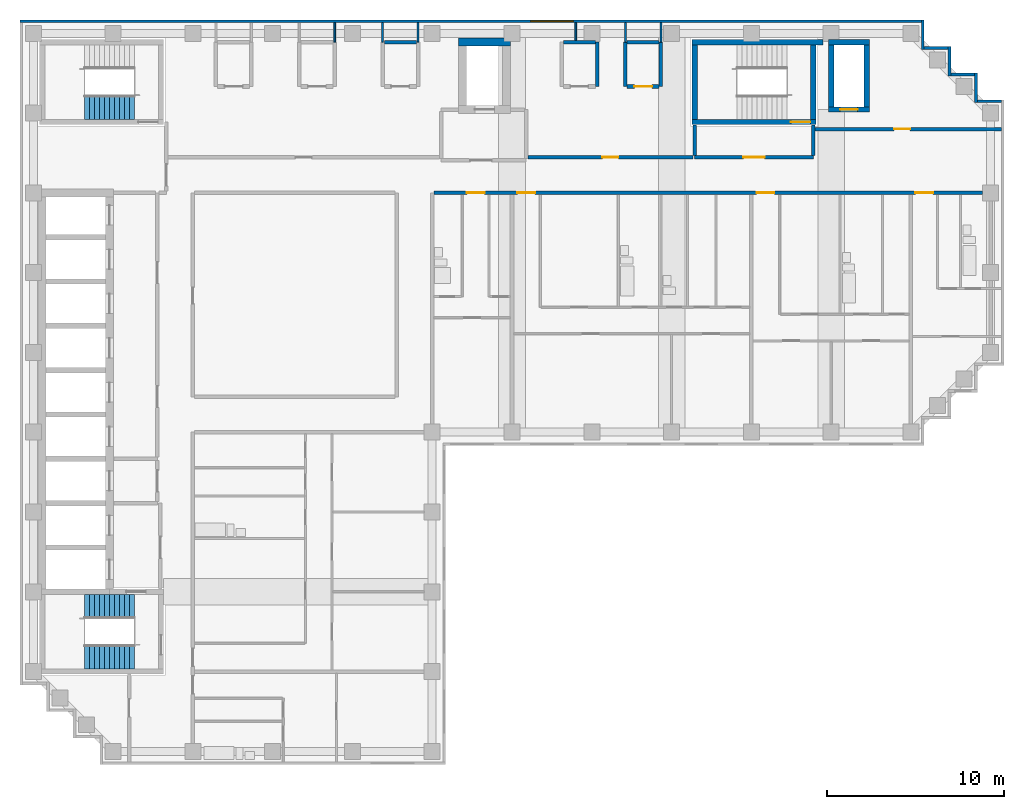
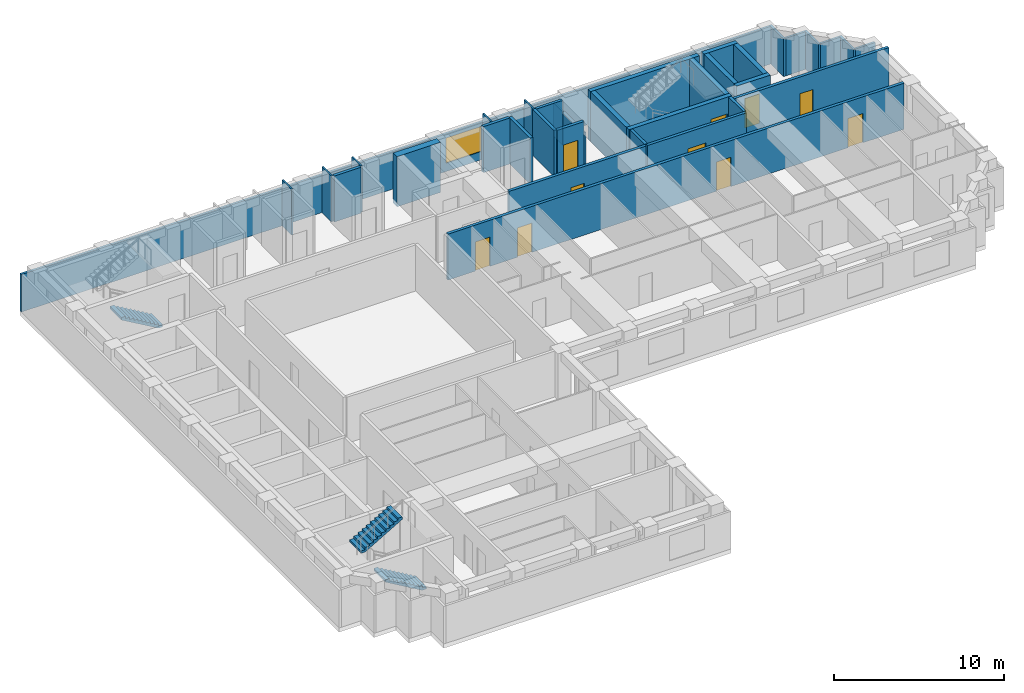
# One storey, part 6 of 9: 35 walls, 10 doors, 3 stair flights, 1 window, 11 openings, 2 elements without a shape of their own.
"""IFC4 building model written with IfcOpenShell, lengths in metres."""

from ifc_helpers import new_model, si_unit, direction, frame, frame_2d, origin, place, context, subcontext, project, spatial, polyline, rectangle, outline, extrude, material, layer, layer_set, type_object, element, fill, aggregate, save


model = new_model("IFC4")

# Units and contexts
model_context = context("Model", 3, precision=1e-05, world=origin(), true_north=direction((0.0, 1.0)))
body_context = subcontext(model_context, "Body", "Model", "MODEL_VIEW")
ifc_project = project(units=[si_unit("LENGTHUNIT", "METRE"), si_unit("AREAUNIT", "SQUARE_METRE"), si_unit("VOLUMEUNIT", "CUBIC_METRE"), si_unit("PLANEANGLEUNIT", "RADIAN"), si_unit("MASSUNIT", "GRAM", prefix="KILO")], contexts=[model_context])

# Site, building, storey
site_placement = place(None, origin())
site = spatial("IfcSite", under=ifc_project, at=site_placement, CompositionType="ELEMENT")
building_placement = place(site_placement, origin())
building = spatial("IfcBuilding", under=site, at=building_placement, Name="Firuza Court", CompositionType="ELEMENT")
storey_placement = place(building_placement, frame((0.0, 0.0, 215.0)))
storey = spatial("IfcBuildingStorey", under=building, at=storey_placement, Name="L55", CompositionType="ELEMENT", Elevation=215.0)

# Wall, opening, door
ifc_material_1 = material(Name="Concrete C50/60", Category="concrete")
ifc_layer_1 = layer(ifc_material_1, 0.300048828125)
ifc_layer_set_1 = layer_set([ifc_layer_1], Name="Concrete C50/60")
wall_type_1 = type_object("IfcWallType", Name="Core wall 300 C50/60", PredefinedType="SHEAR", material=ifc_layer_set_1)
wall_1_placement = place(storey_placement, frame((37.14990234375, 53.5, -0.300048828125), z_axis=(0.0, 0.0, 1.0), x_axis=(1.0, 0.0, 0.0)))
wall_1 = element("IfcWall", 1, at=wall_1_placement, inside=storey, type_object=wall_type_1, Name="Core wall stair L55", PredefinedType="SHEAR", context=body_context, shape_type="SweptSolid", body=[
    extrude(rectangle(XDim=7.0, YDim=0.300048828125, at=frame_2d((3.5, 0.0))), origin(), (0.0, 0.0, 1.0), 3.60009765625),
])
opening_1_placement = place(wall_1_placement, frame((5.580078125, 0.0, 0.300048828125)))
opening_1 = element("IfcOpeningElement", 2, at=opening_1_placement, cuts=wall_1, Name="Opening D55009", PredefinedType="OPENING", context=body_context, shape_type="SweptSolid", body=[
    extrude(rectangle(XDim=1.10009765625, YDim=2.10009765625, at=frame_2d((0.550048828125, 1.050048828125))), frame((0.0, 0.162109375, 0.0), z_axis=(0.0, -1.0, 0.0), x_axis=(1.0, 0.0, 0.0)), (0.0, 0.0, 1.0), 0.323974609375),
])
ifc_material_2 = material(Name="Timber door leaf in hardwood frame", Category="wood")
door_type_1 = type_object("IfcDoorType", Name="Stair door 1100", OperationType="SINGLE_SWING_LEFT", PredefinedType="DOOR", material=ifc_material_2)
door_1_placement = place(opening_1_placement, origin())
door_1 = element("IfcDoor", 3, at=door_1_placement, inside=storey, type_object=door_type_1, Name="Stair door S1", OperationType="SINGLE_SWING_RIGHT", OverallHeight=2.10009765625, OverallWidth=1.10009765625, PredefinedType="DOOR", context=body_context, shape_type="SweptSolid", body=[
    extrude(rectangle(XDim=1.10009765625, YDim=2.10009765625, at=frame_2d((0.550048828125, 1.050048828125))), frame((0.0, 0.02490234375, 0.0), z_axis=(0.0, -1.0, 0.0), x_axis=(1.0, 0.0, 0.0)), (0.0, 0.0, 1.0), 0.050048828125),
])
fill(opening_1, door_1)

# Walls
wall_2_placement = place(storey_placement, frame((37.14990234375, 58.0, -0.300048828125), z_axis=(0.0, 0.0, 1.0), x_axis=(1.0, 0.0, 0.0)))
element("IfcWall", 4, at=wall_2_placement, inside=storey, type_object=wall_type_1, Name="Core wall stair L55", PredefinedType="SHEAR", context=body_context, shape_type="SweptSolid", body=[
    extrude(rectangle(XDim=7.400146484375, YDim=0.300048828125, at=frame_2d((3.7001953125, 0.0))), origin(), (0.0, 0.0, 1.0), 3.60009765625),
])
for number, where, z_axis, x_axis, name in (
    (5, (37.300048828125, 53.64990234375, -0.300048828125), (0.0, 0.0, 1.0), (0.0, 1.0, 0.0), "Core wall stair L55"),
    (6, (44.0, 53.64990234375, -0.300048828125), (0.0, 0.0, 1.0), (0.0, 1.0, 0.0), "Core wall stair L55"),
):
    element("IfcWall", number, at=place(storey_placement, frame(where, z_axis=z_axis, x_axis=x_axis)), inside=storey, type_object=wall_type_1, Name=name, PredefinedType="SHEAR", context=body_context, shape_type="SweptSolid", body=[
        extrude(rectangle(XDim=4.2001953125, YDim=0.300048828125, at=frame_2d((2.10009765625, 0.0))), origin(), (0.0, 0.0, 1.0), 3.60009765625),
    ])

# Wall, opening, door
wall_3_placement = place(storey_placement, frame((44.85009765625, 54.199951171875, -0.300048828125), z_axis=(0.0, 0.0, 1.0), x_axis=(1.0, 0.0, 0.0)))
wall_3 = element("IfcWall", 7, at=wall_3_placement, inside=storey, type_object=wall_type_1, Name="Core wall riser L55", PredefinedType="SHEAR", context=body_context, shape_type="SweptSolid", body=[
    extrude(rectangle(XDim=2.2998046875, YDim=0.300048828125, at=frame_2d((1.14990234375, 0.0))), origin(), (0.0, 0.0, 1.0), 3.60009765625),
])
opening_2_placement = place(wall_3_placement, frame((0.64990234375, 0.0, 0.300048828125)))
opening_2 = element("IfcOpeningElement", 8, at=opening_2_placement, cuts=wall_3, Name="Opening D55008", PredefinedType="OPENING", context=body_context, shape_type="SweptSolid", body=[
    extrude(rectangle(XDim=1.0, YDim=2.10009765625, at=frame_2d((0.5, 1.050048828125))), frame((0.0, 0.162109375, 0.0), z_axis=(0.0, -1.0, 0.0), x_axis=(1.0, 0.0, 0.0)), (0.0, 0.0, 1.0), 0.323974609375),
])
ifc_material_3 = material(Name="Timber door leaf in hardwood frame", Category="wood")
door_type_2 = type_object("IfcDoorType", Name="Riser door 1000", OperationType="SINGLE_SWING_LEFT", PredefinedType="DOOR", material=ifc_material_3)
door_2_placement = place(opening_2_placement, origin())
door_2 = element("IfcDoor", 9, at=door_2_placement, inside=storey, type_object=door_type_2, Name="Riser door R3", OperationType="SINGLE_SWING_LEFT", OverallHeight=2.10009765625, OverallWidth=1.0, PredefinedType="DOOR", context=body_context, shape_type="SweptSolid", body=[
    extrude(rectangle(XDim=1.0, YDim=2.10009765625, at=frame_2d((0.5, 1.050048828125))), frame((0.0, 0.02490234375, 0.0), z_axis=(0.0, -1.0, 0.0), x_axis=(1.0, 0.0, 0.0)), (0.0, 0.0, 1.0), 0.050048828125),
])
fill(opening_2, door_2)

# Walls
wall_4_placement = place(storey_placement, frame((44.85009765625, 58.0, -0.300048828125), z_axis=(0.0, 0.0, 1.0), x_axis=(1.0, 0.0, 0.0)))
element("IfcWall", 10, at=wall_4_placement, inside=storey, type_object=wall_type_1, Name="Core wall riser L55", PredefinedType="SHEAR", context=body_context, shape_type="SweptSolid", body=[
    extrude(rectangle(XDim=2.2998046875, YDim=0.300048828125, at=frame_2d((1.14990234375, 0.0))), origin(), (0.0, 0.0, 1.0), 3.60009765625),
])
for number, where, z_axis, x_axis, name in (
    (11, (45.0, 54.35009765625, -0.300048828125), (0.0, 0.0, 1.0), (0.0, 1.0, 0.0), "Core wall riser L55"),
    (12, (47.0, 54.35009765625, -0.300048828125), (0.0, 0.0, 1.0), (0.0, 1.0, 0.0), "Core wall riser L55"),
):
    element("IfcWall", number, at=place(storey_placement, frame(where, z_axis=z_axis, x_axis=x_axis)), inside=storey, type_object=wall_type_1, Name=name, PredefinedType="SHEAR", context=body_context, shape_type="SweptSolid", body=[
        extrude(rectangle(XDim=3.5, YDim=0.300048828125, at=frame_2d((1.75, 0.0))), origin(), (0.0, 0.0, 1.0), 3.60009765625),
    ])
ifc_layer_2 = layer(ifc_material_1, 0.449951171875)
ifc_layer_set_2 = layer_set([ifc_layer_2], Name="Concrete C50/60")
wall_type_2 = type_object("IfcWallType", Name="Core wall 450 C50/60", PredefinedType="SHEAR", material=ifc_layer_set_2)
wall_5_placement = place(storey_placement, frame((23.97509765625, 58.0, -0.300048828125), z_axis=(0.0, 0.0, 1.0), x_axis=(1.0, 0.0, 0.0)))
element("IfcWall", 13, at=wall_5_placement, inside=storey, type_object=wall_type_2, Name="Core wall lift shaft L55", PredefinedType="SHEAR", context=body_context, shape_type="SweptSolid", body=[
    extrude(rectangle(XDim=2.949951171875, YDim=0.449951171875, at=frame_2d((1.47509765625, 0.0))), origin(), (0.0, 0.0, 1.0), 3.60009765625),
])

# Wall, openings, doors
ifc_material_4 = material(Name="Blockwork, plastered both sides", Category="masonry")
ifc_layer_3 = layer(ifc_material_4, 0.199951171875)
ifc_layer_set_3 = layer_set([ifc_layer_3], Name="Blockwork, plastered both sides")
wall_type_3 = type_object("IfcWallType", Name="Corridor wall 200", PredefinedType="PARTITIONING", material=ifc_layer_set_3)
wall_6_placement = place(storey_placement, frame((22.60009765625, 49.5, 0.0), z_axis=(0.0, 0.0, 1.0), x_axis=(1.0, 0.0, 0.0)))
wall_6 = element("IfcWall", 14, at=wall_6_placement, inside=storey, type_object=wall_type_3, Name="Corridor wall 200 L55", PredefinedType="PARTITIONING", context=body_context, shape_type="SweptSolid", body=[
    extrude(rectangle(XDim=30.949951171875, YDim=0.199951171875, at=frame_2d((15.47509765625, 0.0))), origin(), (0.0, 0.0, 1.0), 3.300048828125),
])
opening_3_placement = place(wall_6_placement, frame((1.85009765625, 0.0, 0.0)))
opening_3 = element("IfcOpeningElement", 15, at=opening_3_placement, cuts=wall_6, Name="Opening D55045", PredefinedType="OPENING", context=body_context, shape_type="SweptSolid", body=[
    extrude(rectangle(XDim=1.0, YDim=2.10009765625, at=frame_2d((0.5, 1.050048828125))), frame((0.0, 0.11181640625, 0.0), z_axis=(0.0, -1.0, 0.0), x_axis=(1.0, 0.0, 0.0)), (0.0, 0.0, 1.0), 0.223876953125),
])
opening_4_placement = place(wall_6_placement, frame((4.699951171875, 0.0, 0.0)))
opening_4 = element("IfcOpeningElement", 16, at=opening_4_placement, cuts=wall_6, Name="Opening D55046", PredefinedType="OPENING", context=body_context, shape_type="SweptSolid", body=[
    extrude(rectangle(XDim=1.0, YDim=2.10009765625, at=frame_2d((0.5, 1.050048828125))), frame((0.0, 0.11181640625, 0.0), z_axis=(0.0, -1.0, 0.0), x_axis=(1.0, 0.0, 0.0)), (0.0, 0.0, 1.0), 0.223876953125),
])
opening_5_placement = place(wall_6_placement, frame((18.199951171875, 0.0, 0.0)))
opening_5 = element("IfcOpeningElement", 17, at=opening_5_placement, cuts=wall_6, Name="Opening D55047", PredefinedType="OPENING", context=body_context, shape_type="SweptSolid", body=[
    extrude(rectangle(XDim=1.0, YDim=2.10009765625, at=frame_2d((0.5, 1.050048828125))), frame((0.0, 0.11181640625, 0.0), z_axis=(0.0, -1.0, 0.0), x_axis=(1.0, 0.0, 0.0)), (0.0, 0.0, 1.0), 0.223876953125),
])
opening_6_placement = place(wall_6_placement, frame((27.14990234375, 0.0, 0.0)))
opening_6 = element("IfcOpeningElement", 18, at=opening_6_placement, cuts=wall_6, Name="Opening D55048", PredefinedType="OPENING", context=body_context, shape_type="SweptSolid", body=[
    extrude(rectangle(XDim=1.0, YDim=2.10009765625, at=frame_2d((0.5, 1.050048828125))), frame((0.0, 0.11181640625, 0.0), z_axis=(0.0, -1.0, 0.0), x_axis=(1.0, 0.0, 0.0)), (0.0, 0.0, 1.0), 0.223876953125),
])
ifc_material_5 = material(Name="Timber door leaf in hardwood frame", Category="wood")
door_type_3 = type_object("IfcDoorType", Name="Flat entrance door 1000", OperationType="SINGLE_SWING_LEFT", PredefinedType="DOOR", material=ifc_material_5)
door_3_placement = place(opening_3_placement, origin())
door_3 = element("IfcDoor", 19, at=door_3_placement, inside=storey, type_object=door_type_3, Name="Flat entrance door", OperationType="SINGLE_SWING_LEFT", OverallHeight=2.10009765625, OverallWidth=1.0, PredefinedType="DOOR", context=body_context, shape_type="SweptSolid", body=[
    extrude(rectangle(XDim=1.0, YDim=2.10009765625, at=frame_2d((0.5, 1.050048828125))), frame((0.0, 0.02490234375, 0.0), z_axis=(0.0, -1.0, 0.0), x_axis=(1.0, 0.0, 0.0)), (0.0, 0.0, 1.0), 0.050048828125),
])
fill(opening_3, door_3)
door_4_placement = place(opening_4_placement, origin())
door_4 = element("IfcDoor", 20, at=door_4_placement, inside=storey, type_object=door_type_3, Name="Flat entrance door", OperationType="SINGLE_SWING_LEFT", OverallHeight=2.10009765625, OverallWidth=1.0, PredefinedType="DOOR", context=body_context, shape_type="SweptSolid", body=[
    extrude(rectangle(XDim=1.0, YDim=2.10009765625, at=frame_2d((0.5, 1.050048828125))), frame((0.0, 0.02490234375, 0.0), z_axis=(0.0, -1.0, 0.0), x_axis=(1.0, 0.0, 0.0)), (0.0, 0.0, 1.0), 0.050048828125),
])
fill(opening_4, door_4)
door_5_placement = place(opening_5_placement, origin())
door_5 = element("IfcDoor", 21, at=door_5_placement, inside=storey, type_object=door_type_3, Name="Flat entrance door", OperationType="SINGLE_SWING_LEFT", OverallHeight=2.10009765625, OverallWidth=1.0, PredefinedType="DOOR", context=body_context, shape_type="SweptSolid", body=[
    extrude(rectangle(XDim=1.0, YDim=2.10009765625, at=frame_2d((0.5, 1.050048828125))), frame((0.0, 0.02490234375, 0.0), z_axis=(0.0, -1.0, 0.0), x_axis=(1.0, 0.0, 0.0)), (0.0, 0.0, 1.0), 0.050048828125),
])
fill(opening_5, door_5)
door_6_placement = place(opening_6_placement, origin())
door_6 = element("IfcDoor", 22, at=door_6_placement, inside=storey, type_object=door_type_3, Name="Flat entrance door", OperationType="SINGLE_SWING_RIGHT", OverallHeight=2.10009765625, OverallWidth=1.0, PredefinedType="DOOR", context=body_context, shape_type="SweptSolid", body=[
    extrude(rectangle(XDim=1.0, YDim=2.10009765625, at=frame_2d((0.5, 1.050048828125))), frame((0.0, 0.02490234375, 0.0), z_axis=(0.0, -1.0, 0.0), x_axis=(1.0, 0.0, 0.0)), (0.0, 0.0, 1.0), 0.050048828125),
])
fill(opening_6, door_6)

# Wall, opening, door
wall_7_placement = place(storey_placement, frame((27.89990234375, 51.5, 0.0), z_axis=(0.0, 0.0, 1.0), x_axis=(1.0, 0.0, 0.0)))
wall_7 = element("IfcWall", 23, at=wall_7_placement, inside=storey, type_object=wall_type_3, Name="Corridor wall 200 L55", PredefinedType="PARTITIONING", context=body_context, shape_type="SweptSolid", body=[
    extrude(rectangle(XDim=9.300048828125, YDim=0.199951171875, at=frame_2d((4.64990234375, 0.0))), origin(), (0.0, 0.0, 1.0), 3.300048828125),
])
opening_7_placement = place(wall_7_placement, frame((4.199951171875, 0.0, 0.0)))
opening_7 = element("IfcOpeningElement", 24, at=opening_7_placement, cuts=wall_7, Name="Opening D55050", PredefinedType="OPENING", context=body_context, shape_type="SweptSolid", body=[
    extrude(rectangle(XDim=0.89990234375, YDim=2.10009765625, at=frame_2d((0.449951171875, 1.050048828125))), frame((0.0, 0.11181640625, 0.0), z_axis=(0.0, -1.0, 0.0), x_axis=(1.0, 0.0, 0.0)), (0.0, 0.0, 1.0), 0.223876953125),
])
ifc_material_6 = material(Name="Timber door leaf in hardwood frame", Category="wood")
door_type_4 = type_object("IfcDoorType", Name="Room door 900 EI 30", OperationType="SINGLE_SWING_LEFT", PredefinedType="DOOR", material=ifc_material_6)
door_7_placement = place(opening_7_placement, origin())
door_7 = element("IfcDoor", 25, at=door_7_placement, inside=storey, type_object=door_type_4, Name="Meeting room door", OperationType="SINGLE_SWING_LEFT", OverallHeight=2.10009765625, OverallWidth=0.89990234375, PredefinedType="DOOR", context=body_context, shape_type="SweptSolid", body=[
    extrude(rectangle(XDim=0.89990234375, YDim=2.10009765625, at=frame_2d((0.449951171875, 1.050048828125))), frame((0.0, 0.02490234375, 0.0), z_axis=(0.0, -1.0, 0.0), x_axis=(1.0, 0.0, 0.0)), (0.0, 0.0, 1.0), 0.050048828125),
])
fill(opening_7, door_7)

wall_8_placement = place(storey_placement, frame((44.10009765625, 53.10009765625, 0.0), z_axis=(0.0, 0.0, 1.0), x_axis=(1.0, 0.0, 0.0)))
wall_8 = element("IfcWall", 26, at=wall_8_placement, inside=storey, type_object=wall_type_3, Name="Corridor wall 200 L55", PredefinedType="PARTITIONING", context=body_context, shape_type="SweptSolid", body=[
    extrude(rectangle(XDim=10.5, YDim=0.199951171875, at=frame_2d((5.25, 0.0))), origin(), (0.0, 0.0, 1.0), 3.300048828125),
])
opening_8_placement = place(wall_8_placement, frame((4.449951171875, 0.0, 0.0)))
opening_8 = element("IfcOpeningElement", 27, at=opening_8_placement, cuts=wall_8, Name="Opening D55051", PredefinedType="OPENING", context=body_context, shape_type="SweptSolid", body=[
    extrude(rectangle(XDim=0.89990234375, YDim=2.10009765625, at=frame_2d((0.449951171875, 1.050048828125))), frame((0.0, 0.11181640625, 0.0), z_axis=(0.0, -1.0, 0.0), x_axis=(1.0, 0.0, 0.0)), (0.0, 0.0, 1.0), 0.223876953125),
])
door_8_placement = place(opening_8_placement, origin())
door_8 = element("IfcDoor", 28, at=door_8_placement, inside=storey, type_object=door_type_4, Name="Staff pantry door", OperationType="SINGLE_SWING_LEFT", OverallHeight=2.10009765625, OverallWidth=0.89990234375, PredefinedType="DOOR", context=body_context, shape_type="SweptSolid", body=[
    extrude(rectangle(XDim=0.89990234375, YDim=2.10009765625, at=frame_2d((0.449951171875, 1.050048828125))), frame((0.0, 0.02490234375, 0.0), z_axis=(0.0, -1.0, 0.0), x_axis=(1.0, 0.0, 0.0)), (0.0, 0.0, 1.0), 0.050048828125),
])
fill(opening_8, door_8)

# Walls
ifc_material_7 = material(Name="Timber stud partition, plasterboard both sides", Category="wood")
ifc_layer_4 = layer(ifc_material_7, 0.10009765625)
ifc_layer_set_4 = layer_set([ifc_layer_4], Name="Timber stud partition, plasterboard both sides")
wall_type_4 = type_object("IfcWallType", Name="Partition wall 100", PredefinedType="PARTITIONING", material=ifc_layer_set_4)
for number, where, z_axis, x_axis, name in (
    (29, (17.0, 58.0, 0.0), (0.0, 0.0, 1.0), (0.0, 1.0, 0.0), "Partition wall 100 L55"),
    (30, (19.699951171875, 58.0, 0.0), (0.0, 0.0, 1.0), (0.0, 1.0, 0.0), "Partition wall 100 L55"),
    (31, (21.699951171875, 58.0, 0.0), (0.0, 0.0, 1.0), (0.0, 1.0, 0.0), "Partition wall 100 L55"),
    (32, (33.39990234375, 58.0, 0.0), (0.0, 0.0, 1.0), (0.0, 1.0, 0.0), "Partition wall 100 L55"),
):
    element("IfcWall", number, at=place(storey_placement, frame(where, z_axis=z_axis, x_axis=x_axis)), inside=storey, type_object=wall_type_4, Name=name, PredefinedType="PARTITIONING", context=body_context, shape_type="SweptSolid", body=[
        extrude(rectangle(XDim=1.10009765625, YDim=0.10009765625, at=frame_2d((0.550048828125, 0.0))), origin(), (0.0, 0.0, 1.0), 3.300048828125),
    ])
wall_9_placement = place(storey_placement, frame((35.39990234375, 58.0, 0.0), z_axis=(0.0, 0.0, 1.0), x_axis=(0.0, 1.0, 0.0)))
element("IfcWall", 33, at=wall_9_placement, inside=storey, type_object=wall_type_4, Name="Partition wall 100 L55", PredefinedType="PARTITIONING", context=body_context, shape_type="SweptSolid", body=[
    extrude(rectangle(XDim=1.10009765625, YDim=0.10009765625, at=frame_2d((0.550048828125, 0.0))), origin(), (0.0, 0.0, 1.0), 2.39990234375),
])
wall_10_placement = place(storey_placement, frame((30.60009765625, 58.10009765625, 0.0), z_axis=(0.0, 0.0, 1.0), x_axis=(0.0, 1.0, 0.0)))
element("IfcWall", 34, at=wall_10_placement, inside=storey, type_object=wall_type_4, Name="Partition wall 100 L55", PredefinedType="PARTITIONING", context=body_context, shape_type="SweptSolid", body=[
    extrude(rectangle(XDim=1.0, YDim=0.10009765625, at=frame_2d((0.5, 0.0))), origin(), (0.0, 0.0, 1.0), 3.300048828125),
])
ifc_material_8 = material(Name="Blockwork, fire-rated", Category="masonry")
ifc_layer_5 = layer(ifc_material_8, 0.199951171875)
ifc_layer_set_5 = layer_set([ifc_layer_5], Name="Blockwork, fire-rated")
wall_type_5 = type_object("IfcWallType", Name="Plant room wall 200", PredefinedType="PARTITIONING", material=ifc_layer_set_5)
for number, where, z_axis, x_axis, name in (
    (35, (31.800048828125, 55.5, 0.0), (0.0, 0.0, 1.0), (0.0, 1.0, 0.0), "Plant room wall 200 L55"),
    (36, (33.39990234375, 55.5, 0.0), (0.0, 0.0, 1.0), (0.0, 1.0, 0.0), "Plant room wall 200 L55"),
):
    element("IfcWall", number, at=place(storey_placement, frame(where, z_axis=z_axis, x_axis=x_axis)), inside=storey, type_object=wall_type_5, Name=name, PredefinedType="PARTITIONING", context=body_context, shape_type="SweptSolid", body=[
        extrude(rectangle(XDim=2.5, YDim=0.199951171875, at=frame_2d((1.25, 0.0))), origin(), (0.0, 0.0, 1.0), 3.300048828125),
    ])

# Wall, opening, door
wall_11_placement = place(storey_placement, frame((33.5, 55.5, 0.0), z_axis=(0.0, 0.0, 1.0), x_axis=(1.0, 0.0, 0.0)))
wall_11 = element("IfcWall", 37, at=wall_11_placement, inside=storey, type_object=wall_type_5, Name="Plant room wall 200 L55", PredefinedType="PARTITIONING", context=body_context, shape_type="SweptSolid", body=[
    extrude(rectangle(XDim=1.800048828125, YDim=0.199951171875, at=frame_2d((0.89990234375, 0.0))), origin(), (0.0, 0.0, 1.0), 3.300048828125),
])
opening_9_placement = place(wall_11_placement, frame((0.39990234375, 0.0, 0.0)))
opening_9 = element("IfcOpeningElement", 38, at=opening_9_placement, cuts=wall_11, Name="Opening D55056", PredefinedType="OPENING", context=body_context, shape_type="SweptSolid", body=[
    extrude(rectangle(XDim=1.0, YDim=2.10009765625, at=frame_2d((0.5, 1.050048828125))), frame((0.0, 0.11181640625, 0.0), z_axis=(0.0, -1.0, 0.0), x_axis=(1.0, 0.0, 0.0)), (0.0, 0.0, 1.0), 0.223876953125),
])
door_9_placement = place(opening_9_placement, origin())
door_9 = element("IfcDoor", 39, at=door_9_placement, inside=storey, type_object=door_type_2, Name="Duct riser door", OperationType="SINGLE_SWING_LEFT", OverallHeight=2.10009765625, OverallWidth=1.0, PredefinedType="DOOR", context=body_context, shape_type="SweptSolid", body=[
    extrude(rectangle(XDim=1.0, YDim=2.10009765625, at=frame_2d((0.5, 1.050048828125))), frame((0.0, 0.02490234375, 0.0), z_axis=(0.0, -1.0, 0.0), x_axis=(1.0, 0.0, 0.0)), (0.0, 0.0, 1.0), 0.050048828125),
])
fill(opening_9, door_9)

# Walls
wall_12_placement = place(storey_placement, frame((35.39990234375, 55.5, 0.0), z_axis=(0.0, 0.0, 1.0), x_axis=(0.0, 1.0, 0.0)))
element("IfcWall", 40, at=wall_12_placement, inside=storey, type_object=wall_type_5, Name="Plant room wall 200 L55", PredefinedType="PARTITIONING", context=body_context, shape_type="SweptSolid", body=[
    extrude(rectangle(XDim=2.5, YDim=0.199951171875, at=frame_2d((1.25, 0.0))), origin(), (0.0, 0.0, 1.0), 2.39990234375),
])
for number, where, z_axis, x_axis, name in (
    (41, (19.800048828125, 58.0, 0.0), (0.0, 0.0, 1.0), (1.0, 0.0, 0.0), "Plant room wall 200 L55"),
    (42, (29.89990234375, 58.0, 0.0), (0.0, 0.0, 1.0), (1.0, 0.0, 0.0), "Plant room wall 200 L55"),
    (43, (33.5, 58.0, 0.0), (0.0, 0.0, 1.0), (1.0, 0.0, 0.0), "Plant room wall 200 L55"),
):
    element("IfcWall", number, at=place(storey_placement, frame(where, z_axis=z_axis, x_axis=x_axis)), inside=storey, type_object=wall_type_5, Name=name, PredefinedType="PARTITIONING", context=body_context, shape_type="SweptSolid", body=[
        extrude(rectangle(XDim=1.800048828125, YDim=0.199951171875, at=frame_2d((0.89990234375, 0.0))), origin(), (0.0, 0.0, 1.0), 3.300048828125),
    ])
ifc_material_9 = material(Name="Ceramic tile", Category="ceramic")
ifc_layer_6 = layer(ifc_material_9, 0.02001953125)
ifc_material_10 = material(Name="Mineral wool insulation", Category="insulation")
ifc_layer_7 = layer(ifc_material_10, 0.050048828125)
ifc_material_11 = material(Name="Concrete C40/50 precast", Category="concrete")
ifc_layer_8 = layer(ifc_material_11, 0.080078125)
ifc_layer_set_6 = layer_set([ifc_layer_6, ifc_layer_7, ifc_layer_8], Name="Concrete C40/50 precast")
wall_type_6 = type_object("IfcWallType", Name="Precast cladding wall with turquoise TILE PANEL face 150", PredefinedType="STANDARD", material=ifc_layer_set_6)
wall_13_placement = place(storey_placement, frame((54.60009765625, 54.675048828125, 0.0), z_axis=(0.0, 0.0, 1.0), x_axis=(-1.0, 0.0, 0.0)))
element("IfcWall", 44, at=wall_13_placement, inside=storey, type_object=wall_type_6, Name="Facade wall L55 N", PredefinedType="STANDARD", context=body_context, shape_type="SweptSolid", body=[
    extrude(rectangle(XDim=1.35009765625, YDim=0.14990234375, at=frame_2d((0.675048828125, 0.0))), origin(), (0.0, 0.0, 1.0), 2.699951171875),
])
wall_14_placement = place(storey_placement, frame((53.175048828125, 54.60009765625, 0.0), z_axis=(0.0, 0.0, 1.0), x_axis=(0.0, 1.0, 0.0)))
element("IfcWall", 45, at=wall_14_placement, inside=storey, type_object=wall_type_6, Name="Facade wall L55 E", PredefinedType="STANDARD", context=body_context, shape_type="SweptSolid", body=[
    extrude(rectangle(XDim=1.64990234375, YDim=0.14990234375, at=frame_2d((0.824951171875, 0.0))), origin(), (0.0, 0.0, 1.0), 2.699951171875),
])
wall_15_placement = place(storey_placement, frame((53.10009765625, 56.175048828125, 0.0), z_axis=(0.0, 0.0, 1.0), x_axis=(-1.0, 0.0, 0.0)))
element("IfcWall", 46, at=wall_15_placement, inside=storey, type_object=wall_type_6, Name="Facade wall L55 N", PredefinedType="STANDARD", context=body_context, shape_type="SweptSolid", body=[
    extrude(rectangle(XDim=1.35009765625, YDim=0.14990234375, at=frame_2d((0.675048828125, 0.0))), origin(), (0.0, 0.0, 1.0), 2.699951171875),
])
wall_16_placement = place(storey_placement, frame((51.675048828125, 56.10009765625, 0.0), z_axis=(0.0, 0.0, 1.0), x_axis=(0.0, 1.0, 0.0)))
element("IfcWall", 47, at=wall_16_placement, inside=storey, type_object=wall_type_6, Name="Facade wall L55 E", PredefinedType="STANDARD", context=body_context, shape_type="SweptSolid", body=[
    extrude(rectangle(XDim=1.64990234375, YDim=0.14990234375, at=frame_2d((0.824951171875, 0.0))), origin(), (0.0, 0.0, 1.0), 2.699951171875),
])
wall_17_placement = place(storey_placement, frame((51.60009765625, 57.675048828125, 0.0), z_axis=(0.0, 0.0, 1.0), x_axis=(-1.0, 0.0, 0.0)))
element("IfcWall", 48, at=wall_17_placement, inside=storey, type_object=wall_type_6, Name="Facade wall L55 N", PredefinedType="STANDARD", context=body_context, shape_type="SweptSolid", body=[
    extrude(rectangle(XDim=1.35009765625, YDim=0.14990234375, at=frame_2d((0.675048828125, 0.0))), origin(), (0.0, 0.0, 1.0), 2.699951171875),
])
wall_18_placement = place(storey_placement, frame((50.175048828125, 57.60009765625, 0.0), z_axis=(0.0, 0.0, 1.0), x_axis=(0.0, 1.0, 0.0)))
element("IfcWall", 49, at=wall_18_placement, inside=storey, type_object=wall_type_6, Name="Facade wall L55 E", PredefinedType="STANDARD", context=body_context, shape_type="SweptSolid", body=[
    extrude(rectangle(XDim=1.64990234375, YDim=0.14990234375, at=frame_2d((0.824951171875, 0.0))), origin(), (0.0, 0.0, 1.0), 2.699951171875),
])

# Wall, opening, window
wall_19_placement = place(storey_placement, frame((50.10009765625, 59.175048828125, 0.0), z_axis=(0.0, 0.0, 1.0), x_axis=(-1.0, 0.0, 0.0)))
wall_19 = element("IfcWall", 50, at=wall_19_placement, inside=storey, type_object=wall_type_6, Name="Facade wall L55 N", PredefinedType="STANDARD", context=body_context, shape_type="SweptSolid", body=[
    extrude(rectangle(XDim=50.85009765625, YDim=0.14990234375, at=frame_2d((25.425048828125, 0.0))), origin(), (0.0, 0.0, 1.0), 2.699951171875),
])
opening_10_placement = place(wall_19_placement, frame((19.64990234375, 0.0, 0.60009765625)))
opening_10 = element("IfcOpeningElement", 51, at=opening_10_placement, cuts=wall_19, Name="Opening W1", PredefinedType="OPENING", context=body_context, shape_type="SweptSolid", body=[
    extrude(rectangle(XDim=2.39990234375, YDim=1.800048828125, at=frame_2d((1.199951171875, 0.89990234375))), frame((0.0, 0.0869140625, 0.0), z_axis=(0.0, -1.0, 0.0), x_axis=(1.0, 0.0, 0.0)), (0.0, 0.0, 1.0), 0.173828125),
])
ifc_material_12 = material(Name="Aluminium frame, triple clear glazing", Category="aluminium")
window_type = type_object("IfcWindowType", Name="Window W1 2400 x 1800", PartitioningType="SINGLE_PANEL", PredefinedType="WINDOW", material=ifc_material_12)
window_placement = place(opening_10_placement, origin())
window = element("IfcWindow", 52, at=window_placement, inside=storey, type_object=window_type, Name="Window L55", OverallHeight=1.800048828125, OverallWidth=2.39990234375, PartitioningType="SINGLE_PANEL", PredefinedType="WINDOW", context=body_context, shape_type="SweptSolid", body=[
    extrude(rectangle(XDim=2.39990234375, YDim=1.800048828125, at=frame_2d((1.199951171875, 0.89990234375))), frame((0.0, 0.030029296875, 0.0), z_axis=(0.0, -1.0, 0.0), x_axis=(1.0, 0.0, 0.0)), (0.0, 0.0, 1.0), 0.06005859375),
])
fill(opening_10, window)

# Wall, opening, door
ifc_layer_9 = layer(ifc_material_8, 0.199951171875)
ifc_layer_set_7 = layer_set([ifc_layer_9], Name="Blockwork, fire-rated")
wall_type_7 = type_object("IfcWallType", Name="Shaft wall 200", PredefinedType="PARTITIONING", material=ifc_layer_set_7)
wall_20_placement = place(storey_placement, frame((37.300048828125, 51.5, 0.0), z_axis=(0.0, 0.0, 1.0), x_axis=(1.0, 0.0, 0.0)))
wall_20 = element("IfcWall", 53, at=wall_20_placement, inside=storey, type_object=wall_type_7, Name="Shaft wall 200 L55", PredefinedType="PARTITIONING", context=body_context, shape_type="SweptSolid", body=[
    extrude(rectangle(XDim=6.699951171875, YDim=0.199951171875, at=frame_2d((3.35009765625, 0.0))), origin(), (0.0, 0.0, 1.0), 3.300048828125),
])
opening_11_placement = place(wall_20_placement, frame((2.75, 0.0, 0.0)))
opening_11 = element("IfcOpeningElement", 54, at=opening_11_placement, cuts=wall_20, Name="Opening D55006", PredefinedType="OPENING", context=body_context, shape_type="SweptSolid", body=[
    extrude(rectangle(XDim=1.199951171875, YDim=2.10009765625, at=frame_2d((0.60009765625, 1.050048828125))), frame((0.0, 0.11181640625, 0.0), z_axis=(0.0, -1.0, 0.0), x_axis=(1.0, 0.0, 0.0)), (0.0, 0.0, 1.0), 0.223876953125),
])
ifc_material_13 = material(Name="Timber door leaf in hardwood frame", Category="wood")
door_type_5 = type_object("IfcDoorType", Name="Lobby door 1200", OperationType="SINGLE_SWING_LEFT", PredefinedType="DOOR", material=ifc_material_13)
door_10_placement = place(opening_11_placement, origin())
door_10 = element("IfcDoor", 55, at=door_10_placement, inside=storey, type_object=door_type_5, Name="Lobby door", OperationType="SINGLE_SWING_LEFT", OverallHeight=2.10009765625, OverallWidth=1.199951171875, PredefinedType="DOOR", context=body_context, shape_type="SweptSolid", body=[
    extrude(rectangle(XDim=1.199951171875, YDim=2.10009765625, at=frame_2d((0.60009765625, 1.050048828125))), frame((0.0, 0.02490234375, 0.0), z_axis=(0.0, -1.0, 0.0), x_axis=(1.0, 0.0, 0.0)), (0.0, 0.0, 1.0), 0.050048828125),
])
fill(opening_11, door_10)

# Walls
for number, where, z_axis, x_axis, name in (
    (56, (44.0, 51.60009765625, 0.0), (0.0, 0.0, 1.0), (0.0, 1.0, 0.0), "Shaft wall 200 L55"),
    (57, (37.300048828125, 51.60009765625, 0.0), (0.0, 0.0, 1.0), (0.0, 1.0, 0.0), "Shaft wall 200 L55"),
):
    element("IfcWall", number, at=place(storey_placement, frame(where, z_axis=z_axis, x_axis=x_axis)), inside=storey, type_object=wall_type_7, Name=name, PredefinedType="PARTITIONING", context=body_context, shape_type="SweptSolid", body=[
        extrude(rectangle(XDim=1.72998046875, YDim=0.199951171875, at=frame_2d((0.864990234375, 0.0))), origin(), (0.0, 0.0, 1.0), 3.300048828125),
    ])

# Stair, stair flights
ifc_material_14 = material(Name="Concrete C40/50 precast", Category="concrete")
stair_type = type_object("IfcStairType", Name="Stair 1350 x 3600 2 flights", PredefinedType="HALF_TURN_STAIR", material=ifc_material_14)
stair_1_placement = place(storey_placement, origin())
stair_1 = element("IfcStair", 58, at=stair_1_placement, inside=storey, type_object=stair_type, Name="Stair 2 L55", PredefinedType="HALF_TURN_STAIR")
ifc_material_15 = material(Name="Concrete C40/50 precast", Category="concrete")
stair_flight_type = type_object("IfcStairFlightType", Name="Flight 1350 riser 163.6", PredefinedType="STRAIGHT", material=ifc_material_15)
stair_flight_1_placement = place(storey_placement, frame((5.699951171875, 23.324951171875, 0.0), z_axis=(0.0, 0.0, 1.0), x_axis=(-1.0, 0.0, 0.0)))
stair_flight_1 = element("IfcStairFlight", 59, at=stair_flight_1_placement, type_object=stair_flight_type, Name="S2 flight 1", NumberOfRisers=11, NumberOfTreads=10, PredefinedType="STRAIGHT", RiserHeight=0.163636364, TreadLength=0.28, context=body_context, shape_type="SweptSolid", body=[
    extrude(outline(polyline([(0.0, 0.0), (0.0, 0.16357421875), (0.280029296875, 0.16357421875), (0.280029296875, 0.327392578125), (0.56005859375, 0.327392578125), (0.56005859375, 0.490966796875), (0.840087890625, 0.490966796875), (0.840087890625, 0.654541015625), (1.1201171875, 0.654541015625), (1.1201171875, 0.818115234375), (1.39990234375, 0.818115234375), (1.39990234375, 0.98193359375), (1.679931640625, 0.98193359375), (1.679931640625, 1.1455078125), (1.9599609375, 1.1455078125), (1.9599609375, 1.30908203125), (2.239990234375, 1.30908203125), (2.239990234375, 1.47265625), (2.52001953125, 1.47265625), (2.52001953125, 1.636474609375), (2.800048828125, 1.636474609375), (2.800048828125, 1.800048828125), (2.800048828125, 1.462646484375), (0.297119140625, 0.0), (0.0, 0.0)])), frame((0.0, 0.675048828125, 0.0), z_axis=(0.0, -1.0, 0.0), x_axis=(1.0, 0.0, 0.0)), (0.0, 0.0, 1.0), 1.35009765625),
])
stair_flight_2_placement = place(storey_placement, frame((2.89990234375, 26.175048828125, 1.800048828125), z_axis=(0.0, 0.0, 1.0), x_axis=(1.0, 0.0, 0.0)))
stair_flight_2 = element("IfcStairFlight", 60, at=stair_flight_2_placement, type_object=stair_flight_type, Name="S2 flight 2", NumberOfRisers=11, NumberOfTreads=10, PredefinedType="STRAIGHT", RiserHeight=0.163636364, TreadLength=0.28, context=body_context, shape_type="SweptSolid", body=[
    extrude(outline(polyline([(0.0, 0.0), (0.0, 0.16357421875), (0.280029296875, 0.16357421875), (0.280029296875, 0.327392578125), (0.56005859375, 0.327392578125), (0.56005859375, 0.490966796875), (0.840087890625, 0.490966796875), (0.840087890625, 0.654541015625), (1.1201171875, 0.654541015625), (1.1201171875, 0.818115234375), (1.39990234375, 0.818115234375), (1.39990234375, 0.98193359375), (1.679931640625, 0.98193359375), (1.679931640625, 1.1455078125), (1.9599609375, 1.1455078125), (1.9599609375, 1.30908203125), (2.239990234375, 1.30908203125), (2.239990234375, 1.47265625), (2.52001953125, 1.47265625), (2.52001953125, 1.636474609375), (2.800048828125, 1.636474609375), (2.800048828125, 1.800048828125), (2.800048828125, 1.462646484375), (0.297119140625, 0.0), (0.0, 0.0)])), frame((0.0, 0.675048828125, 0.0), z_axis=(0.0, -1.0, 0.0), x_axis=(1.0, 0.0, 0.0)), (0.0, 0.0, 1.0), 1.35009765625),
])
aggregate(stair_1, [stair_flight_1, stair_flight_2])

# Stair, stair flight
stair_2_placement = place(storey_placement, origin())
stair_2 = element("IfcStair", 61, at=stair_2_placement, inside=storey, type_object=stair_type, Name="Stair 3 L55", PredefinedType="HALF_TURN_STAIR")
stair_flight_3_placement = place(storey_placement, frame((5.699951171875, 54.324951171875, 0.0), z_axis=(0.0, 0.0, 1.0), x_axis=(-1.0, 0.0, 0.0)))
stair_flight_3 = element("IfcStairFlight", 62, at=stair_flight_3_placement, type_object=stair_flight_type, Name="S3 flight 1", NumberOfRisers=11, NumberOfTreads=10, PredefinedType="STRAIGHT", RiserHeight=0.163636364, TreadLength=0.28, context=body_context, shape_type="SweptSolid", body=[
    extrude(outline(polyline([(0.0, 0.0), (0.0, 0.16357421875), (0.280029296875, 0.16357421875), (0.280029296875, 0.327392578125), (0.56005859375, 0.327392578125), (0.56005859375, 0.490966796875), (0.840087890625, 0.490966796875), (0.840087890625, 0.654541015625), (1.1201171875, 0.654541015625), (1.1201171875, 0.818115234375), (1.39990234375, 0.818115234375), (1.39990234375, 0.98193359375), (1.679931640625, 0.98193359375), (1.679931640625, 1.1455078125), (1.9599609375, 1.1455078125), (1.9599609375, 1.30908203125), (2.239990234375, 1.30908203125), (2.239990234375, 1.47265625), (2.52001953125, 1.47265625), (2.52001953125, 1.636474609375), (2.800048828125, 1.636474609375), (2.800048828125, 1.800048828125), (2.800048828125, 1.462646484375), (0.297119140625, 0.0), (0.0, 0.0)])), frame((0.0, 0.675048828125, 0.0), z_axis=(0.0, -1.0, 0.0), x_axis=(1.0, 0.0, 0.0)), (0.0, 0.0, 1.0), 1.35009765625),
])
aggregate(stair_2, [stair_flight_3])

save(model, "model.ifc")
